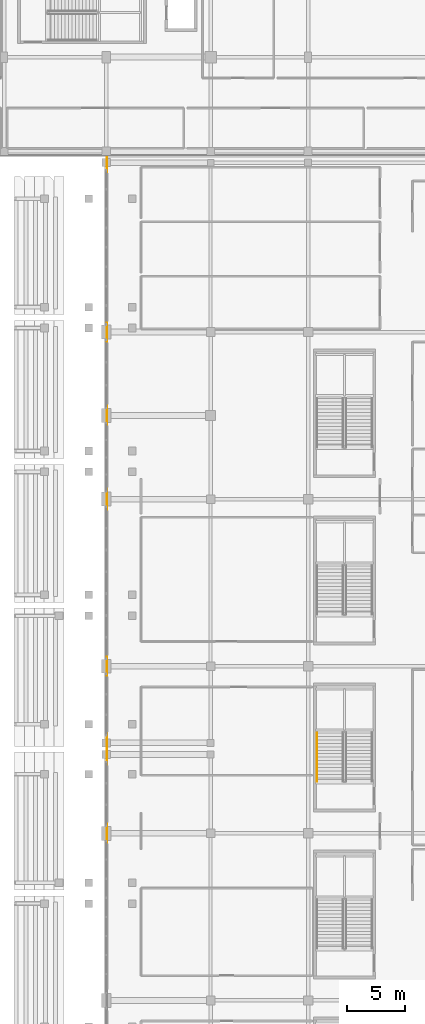
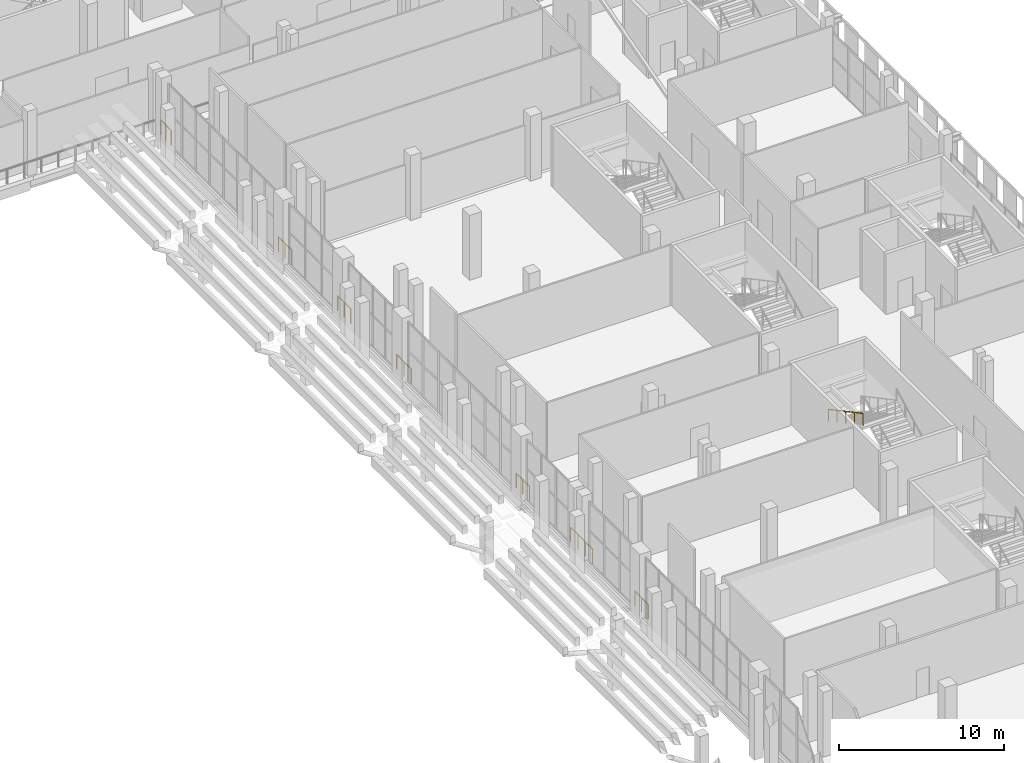
# One storey, part 133 of 142: 10 railings.
"""IFC4 building model written with IfcOpenShell, lengths in metres."""

from ifc_helpers import new_model, si_unit, direction, frame, origin, origin_2d, place, context, subcontext, project, spatial, circle, extrude, material, type_object, element, save


model = new_model("IFC4")

# Units and contexts
model_context = context("Model", 3, precision=1e-05, world=origin(), true_north=direction((0.0, 1.0)))
body_context = subcontext(model_context, "Body", "Model", "MODEL_VIEW")
ifc_project = project(units=[si_unit("LENGTHUNIT", "METRE"), si_unit("AREAUNIT", "SQUARE_METRE"), si_unit("VOLUMEUNIT", "CUBIC_METRE"), si_unit("PLANEANGLEUNIT", "RADIAN"), si_unit("MASSUNIT", "GRAM", prefix="KILO")], contexts=[model_context])

# Site, building, storey
site_placement = place(None, origin())
site = spatial("IfcSite", under=ifc_project, at=site_placement, CompositionType="ELEMENT")
building_placement = place(site_placement, origin())
building = spatial("IfcBuilding", under=site, at=building_placement, Name="Koshinbarg Plaza Stadium", CompositionType="ELEMENT")
storey_placement = place(building_placement, frame((0.0, 0.0, 10.199951171875)))
storey = spatial("IfcBuildingStorey", under=building, at=storey_placement, Name="L02", CompositionType="ELEMENT", Elevation=10.199951171875)

# Railings
ifc_material_1 = material(Name="Toughened laminated glass and stainless steel sightline balustrade", Category="steel")
railing_type_1 = type_object("IfcRailingType", Name="RL-BOWL-1100", PredefinedType="BALUSTRADE", material=ifc_material_1)
railing_1_placement = place(storey_placement, frame((180.47998046875, 67.89990234375, 0.0)))
element("IfcRailing", 1, at=railing_1_placement, inside=storey, type_object=railing_type_1, Name="L02 deck edge safety balustrade 0137", PredefinedType="BALUSTRADE", context=body_context, shape_type="SweptSolid", body=[
    extrude(circle(Radius=0.02392578125, at=origin_2d()), frame((0.0, 0.0, 1.076171875), z_axis=(0.0, 1.0, 0.0), x_axis=(-1.0, 0.0, 0.0)), (0.0, 0.0, 1.0), 1.60009765625),
    extrude(circle(Radius=0.02099609375, at=origin_2d()), origin(), (0.0, 0.0, 1.0), 1.052001953125),
    extrude(circle(Radius=0.02099609375, at=origin_2d()), frame((0.0, 0.800048828125, 0.0)), (0.0, 0.0, 1.0), 1.052001953125),
    extrude(circle(Radius=0.02099609375, at=origin_2d()), frame((0.0, 1.60009765625, 0.0)), (0.0, 0.0, 1.0), 1.052001953125),
])
railing_2_placement = place(storey_placement, frame((180.47998046875, 74.64990234375, 0.0)))
element("IfcRailing", 2, at=railing_2_placement, inside=storey, type_object=railing_type_1, Name="L02 deck edge safety balustrade 0138", PredefinedType="BALUSTRADE", context=body_context, shape_type="SweptSolid", body=[
    extrude(circle(Radius=0.02392578125, at=origin_2d()), frame((0.0, 0.0, 1.076171875), z_axis=(0.0, 1.0, 0.0), x_axis=(-1.0, 0.0, 0.0)), (0.0, 0.0, 1.0), 2.650146484375),
    extrude(circle(Radius=0.02099609375, at=origin_2d()), origin(), (0.0, 0.0, 1.0), 1.052001953125),
    extrude(circle(Radius=0.02099609375, at=origin_2d()), frame((0.0, 0.88330078125, 0.0)), (0.0, 0.0, 1.0), 1.052001953125),
    extrude(circle(Radius=0.02099609375, at=origin_2d()), frame((0.0, 1.766845703125, 0.0)), (0.0, 0.0, 1.0), 1.052001953125),
    extrude(circle(Radius=0.02099609375, at=origin_2d()), frame((0.0, 2.650146484375, 0.0)), (0.0, 0.0, 1.0), 1.052001953125),
])
railing_3_placement = place(storey_placement, frame((180.47998046875, 82.300048828125, 0.0)))
element("IfcRailing", 3, at=railing_3_placement, inside=storey, type_object=railing_type_1, Name="L02 deck edge safety balustrade 0139", PredefinedType="BALUSTRADE", context=body_context, shape_type="SweptSolid", body=[
    extrude(circle(Radius=0.02392578125, at=origin_2d()), frame((0.0, 0.0, 1.076171875), z_axis=(0.0, 1.0, 0.0), x_axis=(-1.0, 0.0, 0.0)), (0.0, 0.0, 1.0), 0.800048828125),
    extrude(circle(Radius=0.02099609375, at=origin_2d()), origin(), (0.0, 0.0, 1.0), 1.052001953125),
    extrude(circle(Radius=0.02099609375, at=origin_2d()), frame((0.0, 0.800048828125, 0.0)), (0.0, 0.0, 1.0), 1.052001953125),
])
railing_4_placement = place(storey_placement, frame((180.47998046875, 83.10009765625, 0.0)))
element("IfcRailing", 4, at=railing_4_placement, inside=storey, type_object=railing_type_1, Name="L02 deck edge safety balustrade 0144", PredefinedType="BALUSTRADE", context=body_context, shape_type="SweptSolid", body=[
    extrude(circle(Radius=0.02392578125, at=origin_2d()), frame((0.0, 0.0, 1.076171875), z_axis=(0.0, 1.0, 0.0), x_axis=(-1.0, 0.0, 0.0)), (0.0, 0.0, 1.0), 0.796875),
    extrude(circle(Radius=0.02099609375, at=origin_2d()), origin(), (0.0, 0.0, 1.0), 1.052001953125),
    extrude(circle(Radius=0.02099609375, at=origin_2d()), frame((0.0, 0.796875, 0.0)), (0.0, 0.0, 1.0), 1.052001953125),
])
railing_5_placement = place(storey_placement, frame((180.47998046875, 96.62841796875, 0.0)))
element("IfcRailing", 5, at=railing_5_placement, inside=storey, type_object=railing_type_1, Name="L02 deck edge safety balustrade 0145", PredefinedType="BALUSTRADE", context=body_context, shape_type="SweptSolid", body=[
    extrude(circle(Radius=0.02392578125, at=origin_2d()), frame((0.0, 0.0, 1.076171875), z_axis=(0.0, 1.0, 0.0), x_axis=(-1.0, 0.0, 0.0)), (0.0, 0.0, 1.0), 1.7431640625),
    extrude(circle(Radius=0.02099609375, at=origin_2d()), origin(), (0.0, 0.0, 1.0), 1.052001953125),
    extrude(circle(Radius=0.02099609375, at=origin_2d()), frame((0.0, 0.87158203125, 0.0)), (0.0, 0.0, 1.0), 1.052001953125),
    extrude(circle(Radius=0.02099609375, at=origin_2d()), frame((0.0, 1.7431640625, 0.0)), (0.0, 0.0, 1.0), 1.052001953125),
])
railing_6_placement = place(storey_placement, frame((180.47998046875, 103.9404296875, 0.0)))
element("IfcRailing", 6, at=railing_6_placement, inside=storey, type_object=railing_type_1, Name="L02 deck edge safety balustrade 0146", PredefinedType="BALUSTRADE", context=body_context, shape_type="SweptSolid", body=[
    extrude(circle(Radius=0.02392578125, at=origin_2d()), frame((0.0, 0.0, 1.076171875), z_axis=(0.0, 1.0, 0.0), x_axis=(-1.0, 0.0, 0.0)), (0.0, 0.0, 1.0), 1.59375),
    extrude(circle(Radius=0.02099609375, at=origin_2d()), origin(), (0.0, 0.0, 1.0), 1.052001953125),
    extrude(circle(Radius=0.02099609375, at=origin_2d()), frame((0.0, 0.796875, 0.0)), (0.0, 0.0, 1.0), 1.052001953125),
    extrude(circle(Radius=0.02099609375, at=origin_2d()), frame((0.0, 1.59375, 0.0)), (0.0, 0.0, 1.0), 1.052001953125),
])
railing_7_placement = place(storey_placement, frame((180.47998046875, 111.10302734375, 0.0)))
element("IfcRailing", 7, at=railing_7_placement, inside=storey, type_object=railing_type_1, Name="L02 deck edge safety balustrade 0147", PredefinedType="BALUSTRADE", context=body_context, shape_type="SweptSolid", body=[
    extrude(circle(Radius=0.02392578125, at=origin_2d()), frame((0.0, 0.0, 1.076171875), z_axis=(0.0, 1.0, 0.0), x_axis=(-1.0, 0.0, 0.0)), (0.0, 0.0, 1.0), 0.796875),
    extrude(circle(Radius=0.02099609375, at=origin_2d()), origin(), (0.0, 0.0, 1.0), 1.052001953125),
    extrude(circle(Radius=0.02099609375, at=origin_2d()), frame((0.0, 0.796875, 0.0)), (0.0, 0.0, 1.0), 1.052001953125),
])
railing_8_placement = place(storey_placement, frame((180.47998046875, 111.89990234375, 0.0)))
element("IfcRailing", 8, at=railing_8_placement, inside=storey, type_object=railing_type_1, Name="L02 deck edge safety balustrade 0152", PredefinedType="BALUSTRADE", context=body_context, shape_type="SweptSolid", body=[
    extrude(circle(Radius=0.02392578125, at=origin_2d()), frame((0.0, 0.0, 1.076171875), z_axis=(0.0, 1.0, 0.0), x_axis=(-1.0, 0.0, 0.0)), (0.0, 0.0, 1.0), 0.79638671875),
    extrude(circle(Radius=0.02099609375, at=origin_2d()), origin(), (0.0, 0.0, 1.0), 1.052001953125),
    extrude(circle(Radius=0.02099609375, at=origin_2d()), frame((0.0, 0.79638671875, 0.0)), (0.0, 0.0, 1.0), 1.052001953125),
])
railing_9_placement = place(storey_placement, frame((180.47998046875, 125.711669921875, 0.0)))
element("IfcRailing", 9, at=railing_9_placement, inside=storey, type_object=railing_type_1, Name="L02 deck edge safety balustrade 0153", PredefinedType="BALUSTRADE", context=body_context, shape_type="SweptSolid", body=[
    extrude(circle(Radius=0.02392578125, at=origin_2d()), frame((0.0, 0.0, 1.076171875), z_axis=(0.0, 1.0, 0.0), x_axis=(-1.0, 0.0, 0.0)), (0.0, 0.0, 1.0), 1.243408203125),
    extrude(circle(Radius=0.02099609375, at=origin_2d()), origin(), (0.0, 0.0, 1.0), 1.052001953125),
    extrude(circle(Radius=0.02099609375, at=origin_2d()), frame((0.0, 0.62158203125, 0.0)), (0.0, 0.0, 1.0), 1.052001953125),
    extrude(circle(Radius=0.02099609375, at=origin_2d()), frame((0.0, 1.243408203125, 0.0)), (0.0, 0.0, 1.0), 1.052001953125),
])
ifc_material_2 = material(Name="Brushed stainless steel handrail", Category="steel")
railing_type_2 = type_object("IfcRailingType", Name="RL-HAND-900", PredefinedType="HANDRAIL", material=ifc_material_2)
railing_10_placement = place(storey_placement, frame((198.550048828125, 77.360107421875, 2.56005859375)))
element("IfcRailing", 10, at=railing_10_placement, inside=storey, type_object=railing_type_2, Name="L02 VX10 stair handrail 2", PredefinedType="HANDRAIL", context=body_context, shape_type="SweptSolid", body=[
    extrude(circle(Radius=0.02392578125, at=origin_2d()), frame((0.0, 0.0, 0.8759765625), z_axis=(0.0, -0.882362879185, 0.470569601054), x_axis=(1.0, 0.0, 0.0)), (0.0, 0.0, 1.0), 4.76025390625),
    extrude(circle(Radius=0.02099609375, at=origin_2d()), origin(), (0.0, 0.0, 1.0), 0.851806640625),
    extrude(circle(Radius=0.02099609375, at=origin_2d()), frame((0.0, -1.050048828125, 0.56005859375)), (0.0, 0.0, 1.0), 0.851806640625),
    extrude(circle(Radius=0.02099609375, at=origin_2d()), frame((0.0, -2.10009765625, 1.1201171875)), (0.0, 0.0, 1.0), 0.851806640625),
    extrude(circle(Radius=0.02099609375, at=origin_2d()), frame((0.0, -3.150146484375, 1.679931640625)), (0.0, 0.0, 1.0), 0.851806640625),
    extrude(circle(Radius=0.02099609375, at=origin_2d()), frame((0.0, -4.2001953125, 2.239990234375)), (0.0, 0.0, 1.0), 0.851806640625),
])

save(model, "model.ifc")
